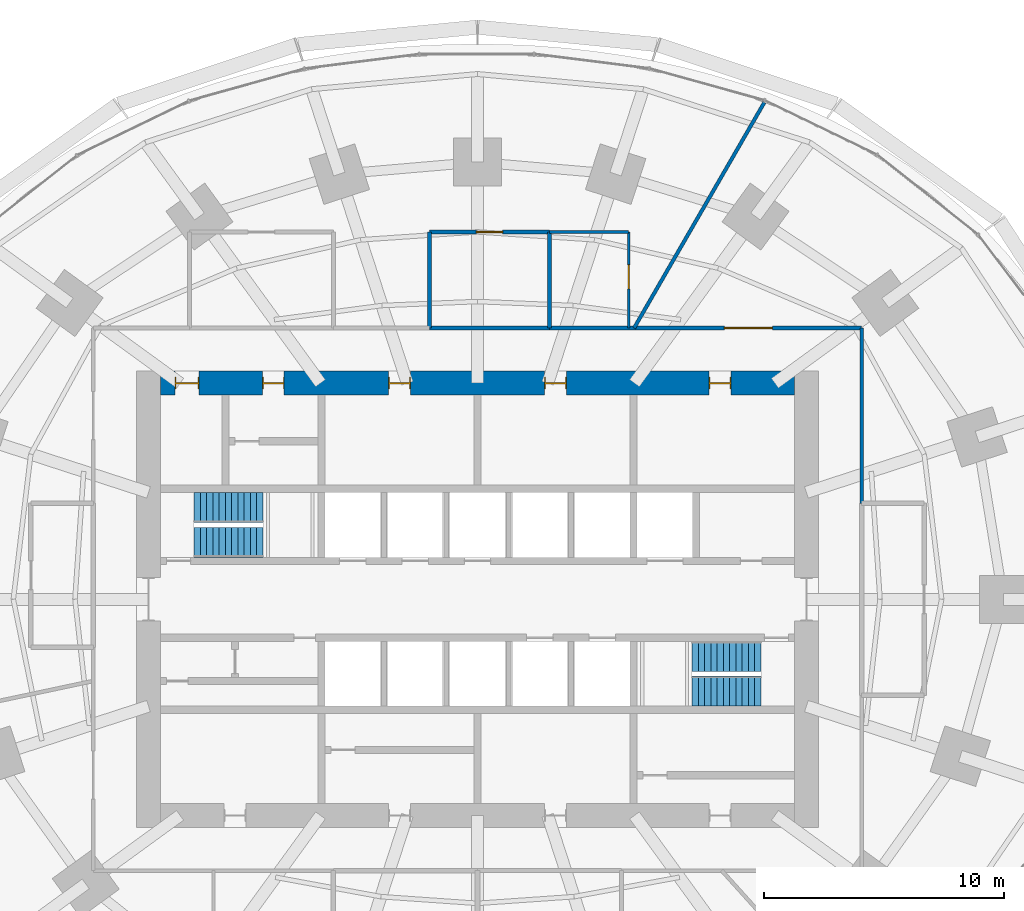
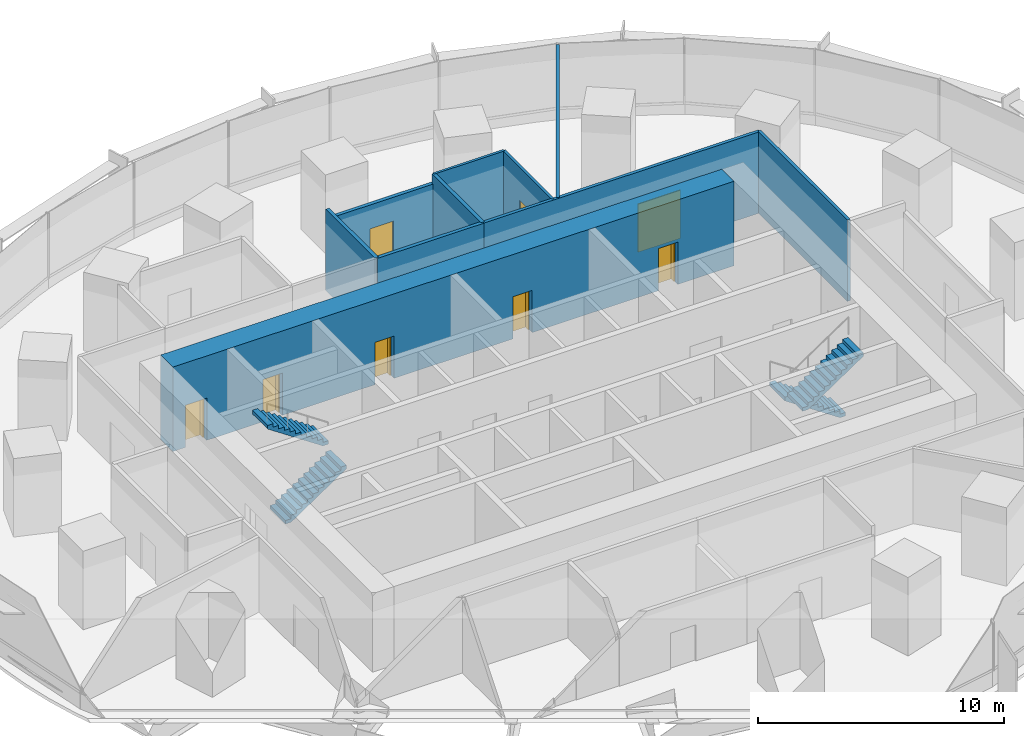
# One storey, part 13 of 15: 10 walls, 8 doors, 4 stair flights, 8 openings, 2 elements without a shape of their own.
"""IFC4 building model written with IfcOpenShell, lengths in metres."""

from ifc_helpers import new_model, si_unit, direction, frame, frame_2d, origin, place, context, subcontext, project, spatial, polyline, rectangle, outline, extrude, material, layer, layer_set, type_object, element, fill, aggregate, save


model = new_model("IFC4")

# Units and contexts
model_context = context("Model", 3, precision=1e-05, world=origin(), true_north=direction((0.0, 1.0)))
body_context = subcontext(model_context, "Body", "Model", "MODEL_VIEW")
ifc_project = project(units=[si_unit("LENGTHUNIT", "METRE"), si_unit("AREAUNIT", "SQUARE_METRE"), si_unit("VOLUMEUNIT", "CUBIC_METRE"), si_unit("PLANEANGLEUNIT", "RADIAN"), si_unit("MASSUNIT", "GRAM", prefix="KILO")], contexts=[model_context])

# Site, building, storey
site_placement = place(None, origin())
site = spatial("IfcSite", under=ifc_project, at=site_placement, CompositionType="ELEMENT")
building_placement = place(site_placement, origin())
building = spatial("IfcBuilding", under=site, at=building_placement, Name="Marramba Exchange Tower", CompositionType="ELEMENT")
storey_placement = place(building_placement, frame((0.0, 0.0, 49.0)))
storey = spatial("IfcBuildingStorey", under=building, at=storey_placement, Name="L11", CompositionType="ELEMENT", Elevation=49.0)

# Walls
ifc_material_1 = material(Name="Plasterboard on staggered double steel studs, acoustic insulation", Category="steel")
ifc_layer_1 = layer(ifc_material_1, 0.169921875)
ifc_layer_set_1 = layer_set([ifc_layer_1], Name="Acoustic partition 170")
wall_type_1 = type_object("IfcWallType", Name="Acoustic partition 170", PredefinedType="PARTITIONING", material=ifc_layer_set_1)
wall_1_placement = place(storey_placement, frame((3.0, 15.300048828125, 0.0), z_axis=(0.0, 0.0, 1.0), x_axis=(0.0, -1.0, 0.0)))
element("IfcWall", 1, at=wall_1_placement, inside=storey, type_object=wall_type_1, Name="Acoustic partition L11 26", PredefinedType="PARTITIONING", context=body_context, shape_type="SweptSolid", body=[
    extrude(rectangle(XDim=4.0, YDim=0.169921875, at=frame_2d((2.0, 0.0))), origin(), (0.0, 0.0, 1.0), 4.0400390625),
])
wall_2_placement = place(storey_placement, frame((-2.0, 11.300048828125, 0.0), z_axis=(0.0, 0.0, 1.0), x_axis=(1.0, 0.0, 0.0)))
element("IfcWall", 2, at=wall_2_placement, inside=storey, type_object=wall_type_1, Name="Acoustic partition L11 27", PredefinedType="PARTITIONING", context=body_context, shape_type="SweptSolid", body=[
    extrude(rectangle(XDim=5.0, YDim=0.169921875, at=frame_2d((2.5, 0.0))), origin(), (0.0, 0.0, 1.0), 4.0400390625),
])

# Wall, opening, door
wall_3_placement = place(storey_placement, frame((3.0, 15.300048828125, 0.0), z_axis=(0.0, 0.0, 1.0), x_axis=(-1.0, 0.0, 0.0)))
wall_3 = element("IfcWall", 3, at=wall_3_placement, inside=storey, type_object=wall_type_1, Name="Acoustic partition L11 28", PredefinedType="PARTITIONING", context=body_context, shape_type="SweptSolid", body=[
    extrude(rectangle(XDim=5.0, YDim=0.169921875, at=frame_2d((2.5, 0.0))), origin(), (0.0, 0.0, 1.0), 3.5859375),
])
opening_1_placement = place(wall_3_placement, frame((1.949951171875, 0.0, 0.0)))
opening_1 = element("IfcOpeningElement", 4, at=opening_1_placement, cuts=wall_3, Name="Opening D15", PredefinedType="OPENING", context=body_context, shape_type="SweptSolid", body=[
    extrude(rectangle(XDim=1.10009765625, YDim=2.39990234375, at=frame_2d((0.550048828125, 1.199951171875))), frame((0.0, 0.094970703125, 0.0), z_axis=(0.0, -1.0, 0.0), x_axis=(1.0, 0.0, 0.0)), (0.0, 0.0, 1.0), 0.18994140625),
])
ifc_material_2 = material(Name="Timber door", Category="wood")
door_type_1 = type_object("IfcDoorType", Name="Glazed meeting room door 1100x2400", OperationType="SINGLE_SWING_LEFT", PredefinedType="DOOR", material=ifc_material_2)
door_1_placement = place(opening_1_placement, origin())
door_1 = element("IfcDoor", 5, at=door_1_placement, inside=storey, type_object=door_type_1, Name="D15 Meeting Room 1 L11", OperationType="SINGLE_SWING_RIGHT", OverallHeight=2.39990234375, OverallWidth=1.10009765625, PredefinedType="DOOR", context=body_context, shape_type="SweptSolid", body=[
    extrude(rectangle(XDim=1.10009765625, YDim=2.39990234375, at=frame_2d((0.550048828125, 1.199951171875))), frame((0.0, 0.02490234375, 0.0), z_axis=(0.0, -1.0, 0.0), x_axis=(1.0, 0.0, 0.0)), (0.0, 0.0, 1.0), 0.050048828125),
])
fill(opening_1, door_1)

# Wall
wall_4_placement = place(storey_placement, frame((-2.0, 15.300048828125, 0.0), z_axis=(0.0, 0.0, 1.0), x_axis=(0.0, -1.0, 0.0)))
element("IfcWall", 6, at=wall_4_placement, inside=storey, type_object=wall_type_1, Name="Acoustic partition L11 29", PredefinedType="PARTITIONING", context=body_context, shape_type="SweptSolid", body=[
    extrude(rectangle(XDim=4.0, YDim=0.169921875, at=frame_2d((2.0, 0.0))), origin(), (0.0, 0.0, 1.0), 4.0400390625),
])

# Wall, openings, doors
ifc_material_3 = material(Name="Concrete N50", Category="concrete")
ifc_layer_2 = layer(ifc_material_3, 1.0)
ifc_layer_set_2 = layer_set([ifc_layer_2], Name="Core wall 1000")
wall_type_2 = type_object("IfcWallType", Name="Core wall 1000", PredefinedType="SHEAR", material=ifc_layer_set_2)
wall_5_placement = place(storey_placement, frame((13.199951171875, 9.0, 0.0), z_axis=(0.0, 0.0, 1.0), x_axis=(-1.0, 0.0, 0.0)))
wall_5 = element("IfcWall", 7, at=wall_5_placement, inside=storey, type_object=wall_type_2, Name="Core wall N L11", PredefinedType="SHEAR", context=body_context, shape_type="SweptSolid", body=[
    extrude(rectangle(XDim=26.39990234375, YDim=1.0, at=frame_2d((13.199951171875, 0.0))), origin(), (0.0, 0.0, 1.0), 4.199951171875),
])
opening_2_placement = place(wall_5_placement, frame((2.64990234375, 0.0, 0.0)))
opening_2 = element("IfcOpeningElement", 8, at=opening_2_placement, cuts=wall_5, Name="Opening D5", PredefinedType="OPENING", context=body_context, shape_type="SweptSolid", body=[
    extrude(rectangle(XDim=0.89990234375, YDim=2.10009765625, at=frame_2d((0.449951171875, 1.050048828125))), frame((0.0, 0.510009765625, 0.0), z_axis=(0.0, -1.0, 0.0), x_axis=(1.0, 0.0, 0.0)), (0.0, 0.0, 1.0), 1.02001953125),
])
opening_3_placement = place(wall_5_placement, frame((9.5, 0.0, 0.0)))
opening_3 = element("IfcOpeningElement", 9, at=opening_3_placement, cuts=wall_5, Name="Opening D3", PredefinedType="OPENING", context=body_context, shape_type="SweptSolid", body=[
    extrude(rectangle(XDim=0.89990234375, YDim=2.10009765625, at=frame_2d((0.449951171875, 1.050048828125))), frame((0.0, 0.510009765625, 0.0), z_axis=(0.0, -1.0, 0.0), x_axis=(1.0, 0.0, 0.0)), (0.0, 0.0, 1.0), 1.02001953125),
])
opening_4_placement = place(wall_5_placement, frame((16.0, 0.0, 0.0)))
opening_4 = element("IfcOpeningElement", 10, at=opening_4_placement, cuts=wall_5, Name="Opening D3", PredefinedType="OPENING", context=body_context, shape_type="SweptSolid", body=[
    extrude(rectangle(XDim=0.89990234375, YDim=2.10009765625, at=frame_2d((0.449951171875, 1.050048828125))), frame((0.0, 0.510009765625, 0.0), z_axis=(0.0, -1.0, 0.0), x_axis=(1.0, 0.0, 0.0)), (0.0, 0.0, 1.0), 1.02001953125),
])
opening_5_placement = place(wall_5_placement, frame((21.25, 0.0, 0.0)))
opening_5 = element("IfcOpeningElement", 11, at=opening_5_placement, cuts=wall_5, Name="Opening D5", PredefinedType="OPENING", context=body_context, shape_type="SweptSolid", body=[
    extrude(rectangle(XDim=0.89990234375, YDim=2.10009765625, at=frame_2d((0.449951171875, 1.050048828125))), frame((0.0, 0.510009765625, 0.0), z_axis=(0.0, -1.0, 0.0), x_axis=(1.0, 0.0, 0.0)), (0.0, 0.0, 1.0), 1.02001953125),
])
opening_6_placement = place(wall_5_placement, frame((24.800048828125, 0.0, 0.0)))
opening_6 = element("IfcOpeningElement", 12, at=opening_6_placement, cuts=wall_5, Name="Opening D4", PredefinedType="OPENING", context=body_context, shape_type="SweptSolid", body=[
    extrude(rectangle(XDim=1.0, YDim=2.10009765625, at=frame_2d((0.5, 1.050048828125))), frame((0.0, 0.510009765625, 0.0), z_axis=(0.0, -1.0, 0.0), x_axis=(1.0, 0.0, 0.0)), (0.0, 0.0, 1.0), 1.02001953125),
])
ifc_material_4 = material(Name="Steel-framed door", Category="steel")
door_type_2 = type_object("IfcDoorType", Name="Accessible toilet door 1000x2100", OperationType="SINGLE_SWING_LEFT", PredefinedType="DOOR", material=ifc_material_4)
door_2_placement = place(opening_6_placement, origin())
door_2 = element("IfcDoor", 13, at=door_2_placement, inside=storey, type_object=door_type_2, Name="D4 awc L11", OperationType="SINGLE_SWING_RIGHT", OverallHeight=2.10009765625, OverallWidth=1.0, PredefinedType="DOOR", context=body_context, shape_type="SweptSolid", body=[
    extrude(rectangle(XDim=0.919921875, YDim=2.06005859375, at=frame_2d((0.5, 1.030029296875))), frame((0.0, 0.02490234375, 0.0), z_axis=(0.0, -1.0, 0.0), x_axis=(1.0, 0.0, 0.0)), (0.0, 0.0, 1.0), 0.050048828125),
    extrude(rectangle(XDim=0.04, YDim=2.10009765625, at=frame_2d((0.02001953125, 1.050048828125))), frame((0.0, 0.25, 0.0), z_axis=(0.0, -1.0, 0.0), x_axis=(1.0, 0.0, 0.0)), (0.0, 0.0, 1.0), 0.5),
    extrude(rectangle(XDim=0.04, YDim=2.10009765625, at=frame_2d((0.97998046875, 1.050048828125))), frame((0.0, 0.25, 0.0), z_axis=(0.0, -1.0, 0.0), x_axis=(1.0, 0.0, 0.0)), (0.0, 0.0, 1.0), 0.5),
    extrude(rectangle(XDim=0.919921875, YDim=0.04, at=frame_2d((0.5, 2.080078125))), frame((0.0, 0.25, 0.0), z_axis=(0.0, -1.0, 0.0), x_axis=(1.0, 0.0, 0.0)), (0.0, 0.0, 1.0), 0.5),
])
fill(opening_6, door_2)
door_type_3 = type_object("IfcDoorType", Name="Service door 900x2100", OperationType="SINGLE_SWING_LEFT", PredefinedType="DOOR", material=ifc_material_4)
door_3_placement = place(opening_2_placement, origin())
door_3 = element("IfcDoor", 14, at=door_3_placement, inside=storey, type_object=door_type_3, Name="D5 comms L11", OperationType="SINGLE_SWING_LEFT", OverallHeight=2.10009765625, OverallWidth=0.89990234375, PredefinedType="DOOR", context=body_context, shape_type="SweptSolid", body=[
    extrude(rectangle(XDim=0.81982421875, YDim=2.06005859375, at=frame_2d((0.449951171875, 1.030029296875))), frame((0.0, 0.02490234375, 0.0), z_axis=(0.0, -1.0, 0.0), x_axis=(1.0, 0.0, 0.0)), (0.0, 0.0, 1.0), 0.050048828125),
    extrude(rectangle(XDim=0.04, YDim=2.10009765625, at=frame_2d((0.02001953125, 1.050048828125))), frame((0.0, 0.25, 0.0), z_axis=(0.0, -1.0, 0.0), x_axis=(1.0, 0.0, 0.0)), (0.0, 0.0, 1.0), 0.5),
    extrude(rectangle(XDim=0.04, YDim=2.10009765625, at=frame_2d((0.8798828125, 1.050048828125))), frame((0.0, 0.25, 0.0), z_axis=(0.0, -1.0, 0.0), x_axis=(1.0, 0.0, 0.0)), (0.0, 0.0, 1.0), 0.5),
    extrude(rectangle(XDim=0.81982421875, YDim=0.04, at=frame_2d((0.449951171875, 2.080078125))), frame((0.0, 0.25, 0.0), z_axis=(0.0, -1.0, 0.0), x_axis=(1.0, 0.0, 0.0)), (0.0, 0.0, 1.0), 0.5),
])
fill(opening_2, door_3)
door_4_placement = place(opening_5_placement, origin())
door_4 = element("IfcDoor", 15, at=door_4_placement, inside=storey, type_object=door_type_3, Name="D5 cleaner L11", OperationType="SINGLE_SWING_RIGHT", OverallHeight=2.10009765625, OverallWidth=0.89990234375, PredefinedType="DOOR", context=body_context, shape_type="SweptSolid", body=[
    extrude(rectangle(XDim=0.81982421875, YDim=2.06005859375, at=frame_2d((0.449951171875, 1.030029296875))), frame((0.0, 0.02490234375, 0.0), z_axis=(0.0, -1.0, 0.0), x_axis=(1.0, 0.0, 0.0)), (0.0, 0.0, 1.0), 0.050048828125),
    extrude(rectangle(XDim=0.04, YDim=2.10009765625, at=frame_2d((0.02001953125, 1.050048828125))), frame((0.0, 0.25, 0.0), z_axis=(0.0, -1.0, 0.0), x_axis=(1.0, 0.0, 0.0)), (0.0, 0.0, 1.0), 0.5),
    extrude(rectangle(XDim=0.04, YDim=2.10009765625, at=frame_2d((0.8798828125, 1.050048828125))), frame((0.0, 0.25, 0.0), z_axis=(0.0, -1.0, 0.0), x_axis=(1.0, 0.0, 0.0)), (0.0, 0.0, 1.0), 0.5),
    extrude(rectangle(XDim=0.81982421875, YDim=0.04, at=frame_2d((0.449951171875, 2.080078125))), frame((0.0, 0.25, 0.0), z_axis=(0.0, -1.0, 0.0), x_axis=(1.0, 0.0, 0.0)), (0.0, 0.0, 1.0), 0.5),
])
fill(opening_5, door_4)
door_type_4 = type_object("IfcDoorType", Name="Toilet door 900x2100", OperationType="SINGLE_SWING_LEFT", PredefinedType="DOOR", material=ifc_material_4)
door_5_placement = place(opening_3_placement, origin())
door_5 = element("IfcDoor", 16, at=door_5_placement, inside=storey, type_object=door_type_4, Name="D3 wc-f L11", OperationType="SINGLE_SWING_RIGHT", OverallHeight=2.10009765625, OverallWidth=0.89990234375, PredefinedType="DOOR", context=body_context, shape_type="SweptSolid", body=[
    extrude(rectangle(XDim=0.81982421875, YDim=2.06005859375, at=frame_2d((0.449951171875, 1.030029296875))), frame((0.0, 0.02490234375, 0.0), z_axis=(0.0, -1.0, 0.0), x_axis=(1.0, 0.0, 0.0)), (0.0, 0.0, 1.0), 0.050048828125),
    extrude(rectangle(XDim=0.04, YDim=2.10009765625, at=frame_2d((0.02001953125, 1.050048828125))), frame((0.0, 0.25, 0.0), z_axis=(0.0, -1.0, 0.0), x_axis=(1.0, 0.0, 0.0)), (0.0, 0.0, 1.0), 0.5),
    extrude(rectangle(XDim=0.04, YDim=2.10009765625, at=frame_2d((0.8798828125, 1.050048828125))), frame((0.0, 0.25, 0.0), z_axis=(0.0, -1.0, 0.0), x_axis=(1.0, 0.0, 0.0)), (0.0, 0.0, 1.0), 0.5),
    extrude(rectangle(XDim=0.81982421875, YDim=0.04, at=frame_2d((0.449951171875, 2.080078125))), frame((0.0, 0.25, 0.0), z_axis=(0.0, -1.0, 0.0), x_axis=(1.0, 0.0, 0.0)), (0.0, 0.0, 1.0), 0.5),
])
fill(opening_3, door_5)
door_6_placement = place(opening_4_placement, origin())
door_6 = element("IfcDoor", 17, at=door_6_placement, inside=storey, type_object=door_type_4, Name="D3 wc-m L11", OperationType="SINGLE_SWING_RIGHT", OverallHeight=2.10009765625, OverallWidth=0.89990234375, PredefinedType="DOOR", context=body_context, shape_type="SweptSolid", body=[
    extrude(rectangle(XDim=0.81982421875, YDim=2.06005859375, at=frame_2d((0.449951171875, 1.030029296875))), frame((0.0, 0.02490234375, 0.0), z_axis=(0.0, -1.0, 0.0), x_axis=(1.0, 0.0, 0.0)), (0.0, 0.0, 1.0), 0.050048828125),
    extrude(rectangle(XDim=0.04, YDim=2.10009765625, at=frame_2d((0.02001953125, 1.050048828125))), frame((0.0, 0.25, 0.0), z_axis=(0.0, -1.0, 0.0), x_axis=(1.0, 0.0, 0.0)), (0.0, 0.0, 1.0), 0.5),
    extrude(rectangle(XDim=0.04, YDim=2.10009765625, at=frame_2d((0.8798828125, 1.050048828125))), frame((0.0, 0.25, 0.0), z_axis=(0.0, -1.0, 0.0), x_axis=(1.0, 0.0, 0.0)), (0.0, 0.0, 1.0), 0.5),
    extrude(rectangle(XDim=0.81982421875, YDim=0.04, at=frame_2d((0.449951171875, 2.080078125))), frame((0.0, 0.25, 0.0), z_axis=(0.0, -1.0, 0.0), x_axis=(1.0, 0.0, 0.0)), (0.0, 0.0, 1.0), 0.5),
])
fill(opening_4, door_6)

# Wall, opening, door
ifc_material_5 = material(Name="Plasterboard on steel studs", Category="steel")
ifc_layer_3 = layer(ifc_material_5, 0.1201171875)
ifc_layer_set_3 = layer_set([ifc_layer_3], Name="Partition 120")
wall_type_3 = type_object("IfcWallType", Name="Partition 120", PredefinedType="PARTITIONING", material=ifc_layer_set_3)
wall_6_placement = place(storey_placement, frame((6.300048828125, 11.300048828125, 0.0), z_axis=(0.0, 0.0, 1.0), x_axis=(0.0, 1.0, 0.0)))
wall_6 = element("IfcWall", 18, at=wall_6_placement, inside=storey, type_object=wall_type_3, Name="Partition L11 24", PredefinedType="PARTITIONING", context=body_context, shape_type="SweptSolid", body=[
    extrude(rectangle(XDim=4.0, YDim=0.1201171875, at=frame_2d((2.0, 0.0))), origin(), (0.0, 0.0, 1.0), 4.0400390625),
])
opening_7_placement = place(wall_6_placement, frame((1.6279296875, 0.0, 0.0)))
opening_7 = element("IfcOpeningElement", 19, at=opening_7_placement, cuts=wall_6, Name="Opening D9", PredefinedType="OPENING", context=body_context, shape_type="SweptSolid", body=[
    extrude(rectangle(XDim=1.0, YDim=2.39990234375, at=frame_2d((0.5, 1.199951171875))), frame((0.0, 0.070068359375, 0.0), z_axis=(0.0, -1.0, 0.0), x_axis=(1.0, 0.0, 0.0)), (0.0, 0.0, 1.0), 0.14013671875),
])
door_type_5 = type_object("IfcDoorType", Name="Room door 1000x2400", OperationType="SINGLE_SWING_LEFT", PredefinedType="DOOR", material=ifc_material_2)
door_7_placement = place(opening_7_placement, origin())
door_7 = element("IfcDoor", 20, at=door_7_placement, inside=storey, type_object=door_type_5, Name="D9 Pantry 1 L11", OperationType="SINGLE_SWING_RIGHT", OverallHeight=2.39990234375, OverallWidth=1.0, PredefinedType="DOOR", context=body_context, shape_type="SweptSolid", body=[
    extrude(rectangle(XDim=1.0, YDim=2.39990234375, at=frame_2d((0.5, 1.199951171875))), frame((0.0, 0.02490234375, 0.0), z_axis=(0.0, -1.0, 0.0), x_axis=(1.0, 0.0, 0.0)), (0.0, 0.0, 1.0), 0.050048828125),
])
fill(opening_7, door_7)

# Walls
wall_7_placement = place(storey_placement, frame((6.300048828125, 15.300048828125, 0.0), z_axis=(0.0, 0.0, 1.0), x_axis=(-1.0, 0.0, 0.0)))
element("IfcWall", 21, at=wall_7_placement, inside=storey, type_object=wall_type_3, Name="Partition L11 25", PredefinedType="PARTITIONING", context=body_context, shape_type="SweptSolid", body=[
    extrude(rectangle(XDim=3.300048828125, YDim=0.1201171875, at=frame_2d((1.64990234375, 0.0))), origin(), (0.0, 0.0, 1.0), 4.0400390625),
])
ifc_material_6 = material(Name="Fire-rated plasterboard on steel studs, acoustic insulation", Category="steel")
ifc_layer_4 = layer(ifc_material_6, 0.14990234375)
ifc_layer_set_4 = layer_set([ifc_layer_4], Name="Tenancy wall 150")
wall_type_4 = type_object("IfcWallType", Name="Tenancy wall 150", PredefinedType="PARTITIONING", material=ifc_layer_set_4)
wall_8_placement = place(storey_placement, frame((16.0, 4.0, 0.0), z_axis=(0.0, 0.0, 1.0), x_axis=(0.0, 1.0, 0.0)))
element("IfcWall", 22, at=wall_8_placement, inside=storey, type_object=wall_type_4, Name="Tenancy wall L11 21", PredefinedType="PARTITIONING", context=body_context, shape_type="SweptSolid", body=[
    extrude(rectangle(XDim=7.300048828125, YDim=0.14990234375, at=frame_2d((3.64990234375, 0.0))), origin(), (0.0, 0.0, 1.0), 4.0400390625),
])

# Wall, opening, door
wall_9_placement = place(storey_placement, frame((16.0, 11.300048828125, 0.0), z_axis=(0.0, 0.0, 1.0), x_axis=(-1.0, 0.0, 0.0)))
wall_9 = element("IfcWall", 23, at=wall_9_placement, inside=storey, type_object=wall_type_4, Name="Tenancy wall L11 22", PredefinedType="PARTITIONING", context=body_context, shape_type="SweptSolid", body=[
    extrude(rectangle(XDim=13.0, YDim=0.14990234375, at=frame_2d((6.5, 0.0))), origin(), (0.0, 0.0, 1.0), 4.0400390625),
])
opening_8_placement = place(wall_9_placement, frame((3.712890625, 0.0, 0.0)))
opening_8 = element("IfcOpeningElement", 24, at=opening_8_placement, cuts=wall_9, Name="Opening D17", PredefinedType="OPENING", context=body_context, shape_type="SweptSolid", body=[
    extrude(rectangle(XDim=2.0, YDim=2.39990234375, at=frame_2d((1.0, 1.199951171875))), frame((0.0, 0.0849609375, 0.0), z_axis=(0.0, -1.0, 0.0), x_axis=(1.0, 0.0, 0.0)), (0.0, 0.0, 1.0), 0.169921875),
])
door_type_6 = type_object("IfcDoorType", Name="Trading floor entry door pair 2000x2400", OperationType="DOUBLE_DOOR_SINGLE_SWING", PredefinedType="DOOR", material=ifc_material_4)
door_8_placement = place(opening_8_placement, origin())
door_8 = element("IfcDoor", 25, at=door_8_placement, inside=storey, type_object=door_type_6, Name="D17 Trading Floor 1 L11", OperationType="DOUBLE_DOOR_SINGLE_SWING", OverallHeight=2.39990234375, OverallWidth=2.0, PredefinedType="DOOR", context=body_context, shape_type="SweptSolid", body=[
    extrude(rectangle(XDim=2.0, YDim=2.39990234375, at=frame_2d((1.0, 1.199951171875))), frame((0.0, 0.02490234375, 0.0), z_axis=(0.0, -1.0, 0.0), x_axis=(1.0, 0.0, 0.0)), (0.0, 0.0, 1.0), 0.050048828125),
])
fill(opening_8, door_8)

# Wall
wall_10_placement = place(storey_placement, frame((6.524169921875, 11.300048828125, 0.0), z_axis=(0.0, 0.0, 1.0), x_axis=(0.499989292232, 0.866031585829, 0.0)))
element("IfcWall", 26, at=wall_10_placement, inside=storey, type_object=wall_type_4, Name="Tenancy wall L11 23", PredefinedType="PARTITIONING", context=body_context, shape_type="SweptSolid", body=[
    extrude(rectangle(XDim=10.850341796875, YDim=0.14990234375, at=frame_2d((5.42529296875, 0.0))), origin(), (0.0, 0.0, 1.0), 4.0400390625),
])

# Stair, stair flights
ifc_material_7 = material(Name="Concrete N40 (40 MPa)", Category="concrete")
stair_type_1 = type_object("IfcStairType", Name="Exit stair ST1 4200 x 1250", PredefinedType="HALF_TURN_STAIR", material=ifc_material_7)
stair_1_placement = place(storey_placement, origin())
stair_1 = element("IfcStair", 27, at=stair_1_placement, inside=storey, type_object=stair_type_1, Name="Exit stair ST1 L11", PredefinedType="HALF_TURN_STAIR")
stair_flight_type_1 = type_object("IfcStairFlightType", Name="ST1 stair flight 1750 riser 1250 wide", PredefinedType="STRAIGHT", material=ifc_material_7)
stair_flight_1_placement = place(storey_placement, frame((-11.800048828125, 2.375, 0.0), z_axis=(0.0, 0.0, 1.0), x_axis=(1.0, 0.0, 0.0)))
stair_flight_1 = element("IfcStairFlight", 28, at=stair_flight_1_placement, type_object=stair_flight_type_1, Name="ST1 flight 1", NumberOfRisers=12, NumberOfTreads=11, PredefinedType="STRAIGHT", RiserHeight=0.175, TreadLength=0.26, context=body_context, shape_type="SweptSolid", body=[
    extrude(outline(polyline([(0.0, 0.0), (0.0, 0.175048828125), (0.260009765625, 0.175048828125), (0.260009765625, 0.35009765625), (0.52001953125, 0.35009765625), (0.52001953125, 0.52490234375), (0.780029296875, 0.52490234375), (0.780029296875, 0.699951171875), (1.0400390625, 0.699951171875), (1.0400390625, 0.875), (1.300048828125, 0.875), (1.300048828125, 1.050048828125), (1.56005859375, 1.050048828125), (1.56005859375, 1.22509765625), (1.820068359375, 1.22509765625), (1.820068359375, 1.39990234375), (2.080078125, 1.39990234375), (2.080078125, 1.574951171875), (2.340087890625, 1.574951171875), (2.340087890625, 1.75), (2.60009765625, 1.75), (2.60009765625, 1.925048828125), (2.860107421875, 1.925048828125), (2.860107421875, 2.10009765625), (2.860107421875, 1.744384765625), (0.2685546875, 0.0), (0.0, 0.0)])), frame((0.0, 0.625, 0.0), z_axis=(0.0, -1.0, 0.0), x_axis=(1.0, 0.0, 0.0)), (0.0, 0.0, 1.0), 1.25),
])
stair_flight_2_placement = place(storey_placement, frame((-8.93994140625, 3.824951171875, 2.10009765625), z_axis=(0.0, 0.0, 1.0), x_axis=(-1.0, 0.0, 0.0)))
stair_flight_2 = element("IfcStairFlight", 29, at=stair_flight_2_placement, type_object=stair_flight_type_1, Name="ST1 flight 2", NumberOfRisers=12, NumberOfTreads=11, PredefinedType="STRAIGHT", RiserHeight=0.175, TreadLength=0.26, context=body_context, shape_type="SweptSolid", body=[
    extrude(outline(polyline([(0.0, 0.0), (0.0, 0.175048828125), (0.260009765625, 0.175048828125), (0.260009765625, 0.35009765625), (0.52001953125, 0.35009765625), (0.52001953125, 0.52490234375), (0.780029296875, 0.52490234375), (0.780029296875, 0.699951171875), (1.0400390625, 0.699951171875), (1.0400390625, 0.875), (1.300048828125, 0.875), (1.300048828125, 1.050048828125), (1.56005859375, 1.050048828125), (1.56005859375, 1.22509765625), (1.820068359375, 1.22509765625), (1.820068359375, 1.39990234375), (2.080078125, 1.39990234375), (2.080078125, 1.574951171875), (2.340087890625, 1.574951171875), (2.340087890625, 1.75), (2.60009765625, 1.75), (2.60009765625, 1.925048828125), (2.860107421875, 1.925048828125), (2.860107421875, 2.10009765625), (2.860107421875, 1.744384765625), (0.2685546875, 0.0), (0.0, 0.0)])), frame((0.0, 0.625, 0.0), z_axis=(0.0, -1.0, 0.0), x_axis=(1.0, 0.0, 0.0)), (0.0, 0.0, 1.0), 1.25),
])
aggregate(stair_1, [stair_flight_1, stair_flight_2])

stair_type_2 = type_object("IfcStairType", Name="Exit stair ST2 4200 x 1250", PredefinedType="HALF_TURN_STAIR", material=ifc_material_7)
stair_2_placement = place(storey_placement, origin())
stair_2 = element("IfcStair", 30, at=stair_2_placement, inside=storey, type_object=stair_type_2, Name="Exit stair ST2 L11", PredefinedType="HALF_TURN_STAIR")
stair_flight_type_2 = type_object("IfcStairFlightType", Name="ST2 stair flight 1750 riser 1250 wide", PredefinedType="STRAIGHT", material=ifc_material_7)
stair_flight_3_placement = place(storey_placement, frame((11.800048828125, -2.375, 0.0), z_axis=(0.0, 0.0, 1.0), x_axis=(-1.0, 0.0, 0.0)))
stair_flight_3 = element("IfcStairFlight", 31, at=stair_flight_3_placement, type_object=stair_flight_type_2, Name="ST2 flight 1", NumberOfRisers=12, NumberOfTreads=11, PredefinedType="STRAIGHT", RiserHeight=0.175, TreadLength=0.26, context=body_context, shape_type="SweptSolid", body=[
    extrude(outline(polyline([(0.0, 0.0), (0.0, 0.175048828125), (0.260009765625, 0.175048828125), (0.260009765625, 0.35009765625), (0.52001953125, 0.35009765625), (0.52001953125, 0.52490234375), (0.780029296875, 0.52490234375), (0.780029296875, 0.699951171875), (1.0400390625, 0.699951171875), (1.0400390625, 0.875), (1.300048828125, 0.875), (1.300048828125, 1.050048828125), (1.56005859375, 1.050048828125), (1.56005859375, 1.22509765625), (1.820068359375, 1.22509765625), (1.820068359375, 1.39990234375), (2.080078125, 1.39990234375), (2.080078125, 1.574951171875), (2.340087890625, 1.574951171875), (2.340087890625, 1.75), (2.60009765625, 1.75), (2.60009765625, 1.925048828125), (2.860107421875, 1.925048828125), (2.860107421875, 2.10009765625), (2.860107421875, 1.744384765625), (0.2685546875, 0.0), (0.0, 0.0)])), frame((0.0, 0.625, 0.0), z_axis=(0.0, -1.0, 0.0), x_axis=(1.0, 0.0, 0.0)), (0.0, 0.0, 1.0), 1.25),
])
stair_flight_4_placement = place(storey_placement, frame((8.93994140625, -3.824951171875, 2.10009765625), z_axis=(0.0, 0.0, 1.0), x_axis=(1.0, 0.0, 0.0)))
stair_flight_4 = element("IfcStairFlight", 32, at=stair_flight_4_placement, type_object=stair_flight_type_2, Name="ST2 flight 2", NumberOfRisers=12, NumberOfTreads=11, PredefinedType="STRAIGHT", RiserHeight=0.175, TreadLength=0.26, context=body_context, shape_type="SweptSolid", body=[
    extrude(outline(polyline([(0.0, 0.0), (0.0, 0.175048828125), (0.260009765625, 0.175048828125), (0.260009765625, 0.35009765625), (0.52001953125, 0.35009765625), (0.52001953125, 0.52490234375), (0.780029296875, 0.52490234375), (0.780029296875, 0.699951171875), (1.0400390625, 0.699951171875), (1.0400390625, 0.875), (1.300048828125, 0.875), (1.300048828125, 1.050048828125), (1.56005859375, 1.050048828125), (1.56005859375, 1.22509765625), (1.820068359375, 1.22509765625), (1.820068359375, 1.39990234375), (2.080078125, 1.39990234375), (2.080078125, 1.574951171875), (2.340087890625, 1.574951171875), (2.340087890625, 1.75), (2.60009765625, 1.75), (2.60009765625, 1.925048828125), (2.860107421875, 1.925048828125), (2.860107421875, 2.10009765625), (2.860107421875, 1.744384765625), (0.2685546875, 0.0), (0.0, 0.0)])), frame((0.0, 0.625, 0.0), z_axis=(0.0, -1.0, 0.0), x_axis=(1.0, 0.0, 0.0)), (0.0, 0.0, 1.0), 1.25),
])
aggregate(stair_2, [stair_flight_3, stair_flight_4])

save(model, "model.ifc")
